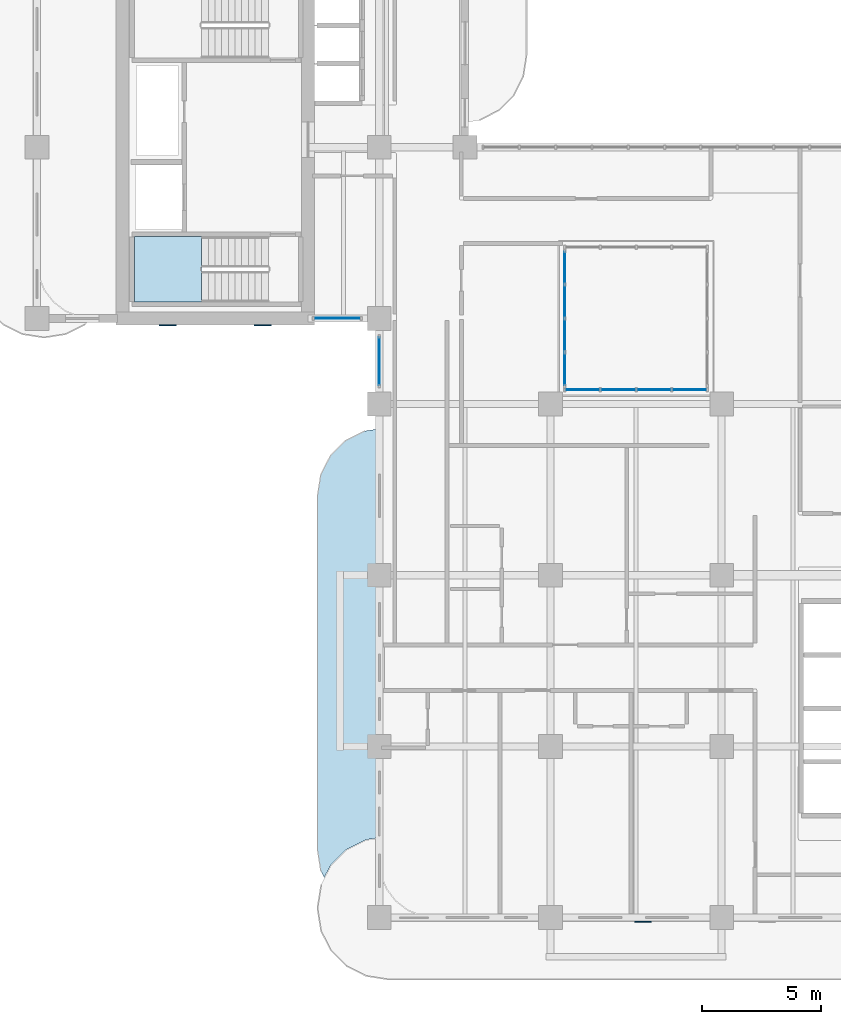
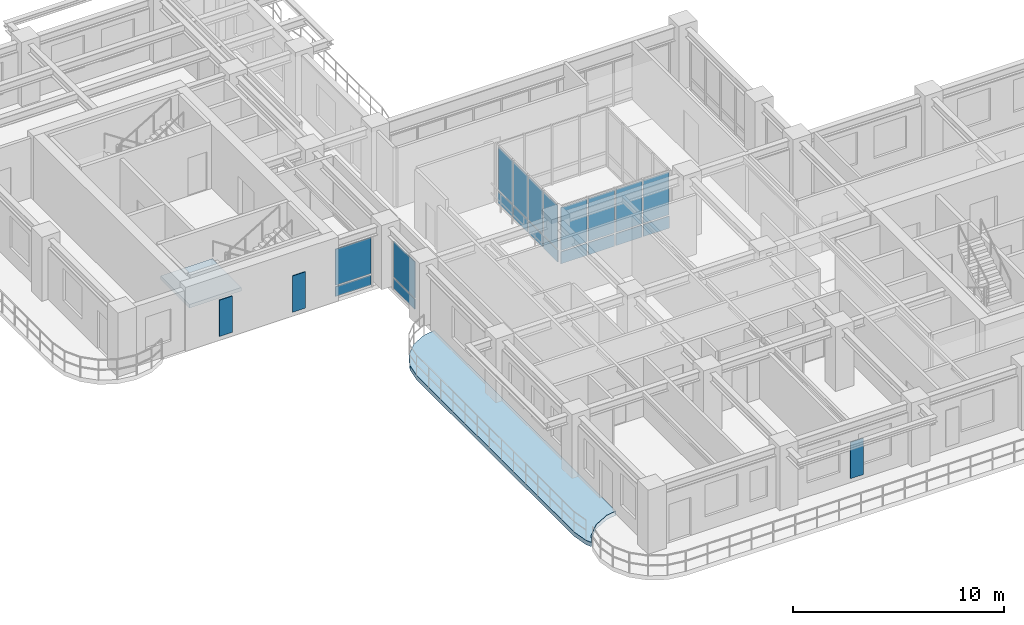
# One storey, part 7 of 20: 23 plates, 2 slabs, 5 elements without a shape of their own.
"""IFC4 building model written with IfcOpenShell, lengths in metres."""

from ifc_helpers import new_model, si_unit, derived_unit, direction, frame, origin, origin_2d, place, context, subcontext, project, spatial, polyline, rectangle, outline, extrude, source, transform, mapped, material, layer, layer_set, type_object, type_shapes, element, aggregate, save


model = new_model("IFC4")

# Units and contexts
model_context = context("Model", 3, precision=1e-05, world=origin(), true_north=direction((0.0, 1.0)))
body_context = subcontext(model_context, "Body", "Model", "MODEL_VIEW")
ifc_project = project(units=[si_unit("LENGTHUNIT", "METRE"), si_unit("AREAUNIT", "SQUARE_METRE"), si_unit("VOLUMEUNIT", "CUBIC_METRE"), si_unit("PLANEANGLEUNIT", "RADIAN"), si_unit("MASSUNIT", "GRAM", prefix="KILO"), si_unit("THERMODYNAMICTEMPERATUREUNIT", "KELVIN"), si_unit("POWERUNIT", "WATT"), derived_unit("THERMALTRANSMITTANCEUNIT", [(si_unit("POWERUNIT", "WATT"), 1), (si_unit("AREAUNIT", "SQUARE_METRE"), -1), (si_unit("THERMODYNAMICTEMPERATUREUNIT", "KELVIN"), -1)])], contexts=[model_context])

# Site, building, storey
site_placement = place(None, origin())
site = spatial("IfcSite", under=ifc_project, at=site_placement, CompositionType="ELEMENT")
building_placement = place(site_placement, origin())
building = spatial("IfcBuilding", under=site, at=building_placement, Name="Zahravan Archway Hotel and Residences", CompositionType="ELEMENT")
storey_placement = place(building_placement, frame((0.0, 0.0, 130.300048828125)))
storey = spatial("IfcBuildingStorey", under=building, at=storey_placement, Name="L32", CompositionType="ELEMENT", Elevation=130.300048828125)

# Slab
ifc_material_1 = material(Name="Concrete C45/55", Category="concrete")
ifc_layer_1 = layer(ifc_material_1, 0.25, Name="Concrete C45/55", Category="concrete")
ifc_layer_set_1 = layer_set([ifc_layer_1], Name="Concrete C45/55")
slab_type_1 = type_object("IfcSlabType", Name="SLB-BALC-250", PredefinedType="FLOOR", material=ifc_layer_set_1)
slab_1_placement = place(storey_placement, frame((0.0, 0.0, -0.25)))
element("IfcSlab", 1, at=slab_1_placement, inside=storey, type_object=slab_type_1, Name="L32 Wing A West Rounded Balcony Band", PredefinedType="FLOOR", context=body_context, shape_type="SweptSolid", body=[
    extrude(outline(polyline([(11.939453125, 1.96923828125), (11.800048828125, 2.85009765625), (11.800048828125, 17.75), (11.939453125, 18.630615234375), (12.34423828125, 19.42529296875), (12.974853515625, 20.0556640625), (13.769287109375, 20.46044921875), (14.3798828125, 20.55712890625), (14.3798828125, 3.361328125), (14.37890625, 3.361328125), (14.376953125, 3.361083984375), (13.835205078125, 3.275390625), (13.833251953125, 3.27490234375), (13.831298828125, 3.2744140625), (13.829345703125, 3.2734375), (13.0068359375, 2.8544921875), (13.005126953125, 2.853515625), (13.00341796875, 2.85205078125), (13.001953125, 2.8505859375), (12.349365234375, 2.197998046875), (12.347900390625, 2.196533203125), (12.3466796875, 2.19482421875), (12.345703125, 2.193115234375), (12.08544921875, 1.6826171875), (11.939453125, 1.96923828125)])), origin(), (0.0, 0.0, 1.0), 0.25),
])

# Stair, slab
ifc_material_2 = material(Name="Concrete C50/60", Category="concrete")
stair_type = type_object("IfcStairType", Name="STR-CORE-1300", PredefinedType="HALF_TURN_STAIR", material=ifc_material_2)
stair_placement = place(storey_placement, origin())
stair = element("IfcStair", 2, at=stair_placement, inside=storey, type_object=stair_type, Name="L32 Core B Exit Stair 1", PredefinedType="HALF_TURN_STAIR")
ifc_layer_2 = layer(ifc_material_2, 0.199951171875, Name="Concrete C50/60", Category="concrete")
ifc_layer_set_2 = layer_set([ifc_layer_2], Name="Concrete C50/60")
slab_type_2 = type_object("IfcSlabType", Name="SLB-LND-200", PredefinedType="LANDING", material=ifc_layer_set_2)
slab_2_placement = place(storey_placement, frame((0.0, 0.0, 1.64990234375)))
slab_2 = element("IfcSlab", 3, at=slab_2_placement, type_object=slab_type_2, Name="ST-B1 landing 1", PredefinedType="LANDING", context=body_context, shape_type="SweptSolid", body=[
    extrude(outline(polyline([(6.929931640625, 28.639892578125), (4.10009765625, 28.639892578125), (4.10009765625, 25.89990234375), (6.929931640625, 25.89990234375), (6.929931640625, 28.639892578125)])), origin(), (0.0, 0.0, 1.0), 0.199951171875),
])
aggregate(stair, [slab_2])

# Plates
ifc_material_3 = material(Name="Perforated Cast Bronze Jali Lattice")
ifc_layer_3 = layer(ifc_material_3, 0.044921875, Name="Perforated Cast Bronze Jali Lattice")
ifc_layer_set_3 = layer_set([ifc_layer_3], Name="Perforated Cast Bronze Jali Lattice")
plate_type_1 = type_object("IfcPlateType", Name="PLT-JALI-BAY", PredefinedType="USERDEFINED", material=ifc_layer_set_3)
shared_shape_1 = source(origin(), body_context, "Body", "SweptSolid", [
    extrude(rectangle(XDim=0.699951171875, YDim=0.044921875, at=origin_2d()), origin(), (0.0, 0.0, 1.0), 2.10009765625),
])
type_shapes(plate_type_1, [shared_shape_1])
for number, where, z_axis, x_axis, name in (
    (4, (5.5, 24.906982421875, 0.25), (0.0, 0.0, 1.0), (1.0, 0.0, 0.0), "L32 Core B South Mughal Jali Screen 1"),
    (5, (9.5, 24.906982421875, 0.25), (0.0, 0.0, 1.0), (1.0, 0.0, 0.0), "L32 Core B South Mughal Jali Screen 2"),
    (6, (25.493896484375, -0.177978515625, 0.25), (0.0, 0.0, 1.0), (1.0, 0.0, 0.0), "L32 Perforated Bronze Jali Pier Screen 01"),
):
    element("IfcPlate", number, at=place(storey_placement, frame(where, z_axis=z_axis, x_axis=x_axis)), inside=storey, type_object=plate_type_1, Name=name, ObjectType="SCREEN", PredefinedType="USERDEFINED", context=body_context, shape_type="MappedRepresentation", body=[
        mapped(shared_shape_1, transform((0.0, 0.0, 0.0), scale=1.0)),
    ])

# Curtain wall, plates
ifc_material_4 = material(Name="Bronze-Anodized Unitised Aluminium & Low-E Glass", Category="aluminium")
ifc_layer_4 = layer(ifc_material_4, 0.179931640625, Name="Bronze-Anodized Unitised Aluminium & Low-E Glass", Category="aluminium")
ifc_layer_set_4 = layer_set([ifc_layer_4], Name="Bronze-Anodized Unitised Aluminium & Low-E Glass")
curtain_wall_type = type_object("IfcCurtainWallType", Name="CW-ATR-GLAZ", PredefinedType="NOTDEFINED", material=ifc_layer_set_4)
curtain_wall_1_placement = place(storey_placement, origin())
curtain_wall_1 = element("IfcCurtainWall", 7, at=curtain_wall_1_placement, inside=storey, type_object=curtain_wall_type, Name="L32 Curtain Wall CW-ATR-L32-S-1", PredefinedType="NOTDEFINED")
ifc_material_5 = material(Name="Insulated Terracotta Spandrel Panel", Category="masonry")
ifc_layer_5 = layer(ifc_material_5, 0.0400390625, Name="Insulated Terracotta Spandrel Panel", Category="masonry")
ifc_layer_set_5 = layer_set([ifc_layer_5], Name="Insulated Terracotta Spandrel Panel")
plate_type_2 = type_object("IfcPlateType", Name="CWP-SPN-40", PredefinedType="SHEET", material=ifc_layer_set_5)
shared_shape_2 = source(origin(), body_context, "Body", "SweptSolid", [
    extrude(rectangle(XDim=1.419921875, YDim=0.0400390625, at=origin_2d()), origin(), (0.0, 0.0, 1.0), 0.68798828125),
])
plate_1_placement = place(storey_placement, frame((22.949951171875, 22.199951171875, 0.099853515625), z_axis=(0.0, 0.0, 1.0), x_axis=(1.0, 0.0, 0.0)))
plate_1 = element("IfcPlate", 8, at=plate_1_placement, type_object=plate_type_2, Name="CW-ATR-L32-S-1 Spandrel Panel 0", PredefinedType="SHEET", context=body_context, shape_type="MappedRepresentation", body=[
    mapped(shared_shape_2, transform((0.0, 0.0, 0.0), scale=1.0)),
])
plate_2_placement = place(storey_placement, frame((24.449951171875, 22.199951171875, 0.099853515625), z_axis=(0.0, 0.0, 1.0), x_axis=(1.0, 0.0, 0.0)))
plate_2 = element("IfcPlate", 9, at=plate_2_placement, type_object=plate_type_2, Name="CW-ATR-L32-S-1 Spandrel Panel 1", PredefinedType="SHEET", context=body_context, shape_type="MappedRepresentation", body=[
    mapped(shared_shape_2, transform((0.0, 0.0, 0.0), scale=1.0)),
])
plate_3_placement = place(storey_placement, frame((25.949951171875, 22.199951171875, 0.099853515625), z_axis=(0.0, 0.0, 1.0), x_axis=(1.0, 0.0, 0.0)))
plate_3 = element("IfcPlate", 10, at=plate_3_placement, type_object=plate_type_2, Name="CW-ATR-L32-S-1 Spandrel Panel 2", PredefinedType="SHEET", context=body_context, shape_type="MappedRepresentation", body=[
    mapped(shared_shape_2, transform((0.0, 0.0, 0.0), scale=1.0)),
])
plate_4_placement = place(storey_placement, frame((27.449951171875, 22.199951171875, 0.099853515625), z_axis=(0.0, 0.0, 1.0), x_axis=(1.0, 0.0, 0.0)))
plate_4 = element("IfcPlate", 11, at=plate_4_placement, type_object=plate_type_2, Name="CW-ATR-L32-S-1 Spandrel Panel 3", PredefinedType="SHEET", context=body_context, shape_type="MappedRepresentation", body=[
    mapped(shared_shape_2, transform((0.0, 0.0, 0.0), scale=1.0)),
])
ifc_material_6 = material(Name="Double-Silver Low-E Insulated Vision Glass", Category="glass")
ifc_layer_6 = layer(ifc_material_6, 0.028076171875, Name="Double-Silver Low-E Insulated Vision Glass", Category="glass")
ifc_layer_set_6 = layer_set([ifc_layer_6], Name="Double-Silver Low-E Insulated Vision Glass")
plate_type_3 = type_object("IfcPlateType", Name="CWP-GLZ-28", PredefinedType="CURTAIN_PANEL", material=ifc_layer_set_6)
shared_shape_3 = source(origin(), body_context, "Body", "SweptSolid", [
    extrude(rectangle(XDim=1.419921875, YDim=0.028076171875, at=origin_2d()), origin(), (0.0, 0.0, 1.0), 2.48193359375),
])
plate_5_placement = place(storey_placement, frame((22.949951171875, 22.199951171875, 0.867919921875), z_axis=(0.0, 0.0, 1.0), x_axis=(1.0, 0.0, 0.0)))
plate_5 = element("IfcPlate", 12, at=plate_5_placement, type_object=plate_type_3, Name="CW-ATR-L32-S-1 Low-E Vision Panel 0", PredefinedType="CURTAIN_PANEL", context=body_context, shape_type="MappedRepresentation", body=[
    mapped(shared_shape_3, transform((0.0, 0.0, 0.0), scale=1.0)),
])
plate_6_placement = place(storey_placement, frame((24.449951171875, 22.199951171875, 0.867919921875), z_axis=(0.0, 0.0, 1.0), x_axis=(1.0, 0.0, 0.0)))
plate_6 = element("IfcPlate", 13, at=plate_6_placement, type_object=plate_type_3, Name="CW-ATR-L32-S-1 Low-E Vision Panel 1", PredefinedType="CURTAIN_PANEL", context=body_context, shape_type="MappedRepresentation", body=[
    mapped(shared_shape_3, transform((0.0, 0.0, 0.0), scale=1.0)),
])
plate_7_placement = place(storey_placement, frame((25.949951171875, 22.199951171875, 0.867919921875), z_axis=(0.0, 0.0, 1.0), x_axis=(1.0, 0.0, 0.0)))
plate_7 = element("IfcPlate", 14, at=plate_7_placement, type_object=plate_type_3, Name="CW-ATR-L32-S-1 Low-E Vision Panel 2", PredefinedType="CURTAIN_PANEL", context=body_context, shape_type="MappedRepresentation", body=[
    mapped(shared_shape_3, transform((0.0, 0.0, 0.0), scale=1.0)),
])
plate_8_placement = place(storey_placement, frame((27.449951171875, 22.199951171875, 0.867919921875), z_axis=(0.0, 0.0, 1.0), x_axis=(1.0, 0.0, 0.0)))
plate_8 = element("IfcPlate", 15, at=plate_8_placement, type_object=plate_type_3, Name="CW-ATR-L32-S-1 Low-E Vision Panel 3", PredefinedType="CURTAIN_PANEL", context=body_context, shape_type="MappedRepresentation", body=[
    mapped(shared_shape_3, transform((0.0, 0.0, 0.0), scale=1.0)),
])
aggregate(curtain_wall_1, [plate_1, plate_5, plate_2, plate_6, plate_3, plate_7, plate_4, plate_8])

curtain_wall_2_placement = place(storey_placement, origin())
curtain_wall_2 = element("IfcCurtainWall", 16, at=curtain_wall_2_placement, inside=storey, type_object=curtain_wall_type, Name="L32 Curtain Wall CW-ATR-L32-W-1", PredefinedType="NOTDEFINED")
shared_shape_4 = source(origin(), body_context, "Body", "SweptSolid", [
    extrude(rectangle(XDim=1.344970703125, YDim=0.0400390625, at=origin_2d()), origin(), (0.0, 0.0, 1.0), 0.68798828125),
])
plate_9_placement = place(storey_placement, frame((22.199951171875, 23.0625, 0.099853515625), z_axis=(0.0, 0.0, 1.0), x_axis=(0.0, 1.0, 0.0)))
plate_9 = element("IfcPlate", 17, at=plate_9_placement, type_object=plate_type_2, Name="CW-ATR-L32-W-1 Spandrel Panel 0", PredefinedType="SHEET", context=body_context, shape_type="MappedRepresentation", body=[
    mapped(shared_shape_4, transform((0.0, 0.0, 0.0), scale=1.0)),
])
plate_10_placement = place(storey_placement, frame((22.199951171875, 24.487548828125, 0.099853515625), z_axis=(0.0, 0.0, 1.0), x_axis=(0.0, 1.0, 0.0)))
plate_10 = element("IfcPlate", 18, at=plate_10_placement, type_object=plate_type_2, Name="CW-ATR-L32-W-1 Spandrel Panel 1", PredefinedType="SHEET", context=body_context, shape_type="MappedRepresentation", body=[
    mapped(shared_shape_4, transform((0.0, 0.0, 0.0), scale=1.0)),
])
plate_11_placement = place(storey_placement, frame((22.199951171875, 25.91259765625, 0.099853515625), z_axis=(0.0, 0.0, 1.0), x_axis=(0.0, 1.0, 0.0)))
plate_11 = element("IfcPlate", 19, at=plate_11_placement, type_object=plate_type_2, Name="CW-ATR-L32-W-1 Spandrel Panel 2", PredefinedType="SHEET", context=body_context, shape_type="MappedRepresentation", body=[
    mapped(shared_shape_4, transform((0.0, 0.0, 0.0), scale=1.0)),
])
plate_12_placement = place(storey_placement, frame((22.199951171875, 27.33740234375, 0.099853515625), z_axis=(0.0, 0.0, 1.0), x_axis=(0.0, 1.0, 0.0)))
plate_12 = element("IfcPlate", 20, at=plate_12_placement, type_object=plate_type_2, Name="CW-ATR-L32-W-1 Spandrel Panel 3", PredefinedType="SHEET", context=body_context, shape_type="MappedRepresentation", body=[
    mapped(shared_shape_4, transform((0.0, 0.0, 0.0), scale=1.0)),
])
shared_shape_5 = source(origin(), body_context, "Body", "SweptSolid", [
    extrude(rectangle(XDim=1.344970703125, YDim=0.028076171875, at=origin_2d()), origin(), (0.0, 0.0, 1.0), 2.48193359375),
])
plate_13_placement = place(storey_placement, frame((22.199951171875, 23.0625, 0.867919921875), z_axis=(0.0, 0.0, 1.0), x_axis=(0.0, 1.0, 0.0)))
plate_13 = element("IfcPlate", 21, at=plate_13_placement, type_object=plate_type_3, Name="CW-ATR-L32-W-1 Low-E Vision Panel 0", PredefinedType="CURTAIN_PANEL", context=body_context, shape_type="MappedRepresentation", body=[
    mapped(shared_shape_5, transform((0.0, 0.0, 0.0), scale=1.0)),
])
plate_14_placement = place(storey_placement, frame((22.199951171875, 24.487548828125, 0.867919921875), z_axis=(0.0, 0.0, 1.0), x_axis=(0.0, 1.0, 0.0)))
plate_14 = element("IfcPlate", 22, at=plate_14_placement, type_object=plate_type_3, Name="CW-ATR-L32-W-1 Low-E Vision Panel 1", PredefinedType="CURTAIN_PANEL", context=body_context, shape_type="MappedRepresentation", body=[
    mapped(shared_shape_5, transform((0.0, 0.0, 0.0), scale=1.0)),
])
plate_15_placement = place(storey_placement, frame((22.199951171875, 25.91259765625, 0.867919921875), z_axis=(0.0, 0.0, 1.0), x_axis=(0.0, 1.0, 0.0)))
plate_15 = element("IfcPlate", 23, at=plate_15_placement, type_object=plate_type_3, Name="CW-ATR-L32-W-1 Low-E Vision Panel 2", PredefinedType="CURTAIN_PANEL", context=body_context, shape_type="MappedRepresentation", body=[
    mapped(shared_shape_5, transform((0.0, 0.0, 0.0), scale=1.0)),
])
plate_16_placement = place(storey_placement, frame((22.199951171875, 27.33740234375, 0.867919921875), z_axis=(0.0, 0.0, 1.0), x_axis=(0.0, 1.0, 0.0)))
plate_16 = element("IfcPlate", 24, at=plate_16_placement, type_object=plate_type_3, Name="CW-ATR-L32-W-1 Low-E Vision Panel 3", PredefinedType="CURTAIN_PANEL", context=body_context, shape_type="MappedRepresentation", body=[
    mapped(shared_shape_5, transform((0.0, 0.0, 0.0), scale=1.0)),
])
aggregate(curtain_wall_2, [plate_9, plate_13, plate_10, plate_14, plate_11, plate_15, plate_12, plate_16])

curtain_wall_3_placement = place(storey_placement, origin())
curtain_wall_3 = element("IfcCurtainWall", 25, at=curtain_wall_3_placement, inside=storey, type_object=curtain_wall_type, Name="L32 Curtain Wall CW-L32-WA-WLU-1", PredefinedType="NOTDEFINED")
shared_shape_6 = source(origin(), body_context, "Body", "SweptSolid", [
    extrude(rectangle(XDim=2.0, YDim=0.0400390625, at=origin_2d()), origin(), (0.0, 0.0, 1.0), 0.564453125),
])
plate_17_placement = place(storey_placement, frame((14.39990234375, 23.39990234375, 0.099853515625), z_axis=(0.0, 0.0, 1.0), x_axis=(0.0, 1.0, 0.0)))
plate_17 = element("IfcPlate", 26, at=plate_17_placement, type_object=plate_type_2, Name="CW-L32-WA-WLU-1 Spandrel Panel 0", PredefinedType="SHEET", context=body_context, shape_type="MappedRepresentation", body=[
    mapped(shared_shape_6, transform((0.0, 0.0, 0.0), scale=1.0)),
])
shared_shape_7 = source(origin(), body_context, "Body", "SweptSolid", [
    extrude(rectangle(XDim=2.0, YDim=0.028076171875, at=origin_2d()), origin(), (0.0, 0.0, 1.0), 2.090576171875),
])
plate_18_placement = place(storey_placement, frame((14.39990234375, 23.39990234375, 0.744140625), z_axis=(0.0, 0.0, 1.0), x_axis=(0.0, 1.0, 0.0)))
plate_18 = element("IfcPlate", 27, at=plate_18_placement, type_object=plate_type_3, Name="CW-L32-WA-WLU-1 Low-E Vision Panel 0", PredefinedType="CURTAIN_PANEL", context=body_context, shape_type="MappedRepresentation", body=[
    mapped(shared_shape_7, transform((0.0, 0.0, 0.0), scale=1.0)),
])
aggregate(curtain_wall_3, [plate_17, plate_18])

curtain_wall_4_placement = place(storey_placement, origin())
curtain_wall_4 = element("IfcCurtainWall", 28, at=curtain_wall_4_placement, inside=storey, type_object=curtain_wall_type, Name="L32 Curtain Wall CW-L32-WB-SE-1", PredefinedType="NOTDEFINED")
shared_shape_8 = source(origin(), body_context, "Body", "SweptSolid", [
    extrude(rectangle(XDim=1.93994140625, YDim=0.0400390625, at=origin_2d()), origin(), (0.0, 0.0, 1.0), 0.564453125),
])
plate_19_placement = place(storey_placement, frame((12.6298828125, 25.199951171875, 0.099853515625), z_axis=(0.0, 0.0, 1.0), x_axis=(1.0, 0.0, 0.0)))
plate_19 = element("IfcPlate", 29, at=plate_19_placement, type_object=plate_type_2, Name="CW-L32-WB-SE-1 Spandrel Panel 0", PredefinedType="SHEET", context=body_context, shape_type="MappedRepresentation", body=[
    mapped(shared_shape_8, transform((0.0, 0.0, 0.0), scale=1.0)),
])
shared_shape_9 = source(origin(), body_context, "Body", "SweptSolid", [
    extrude(rectangle(XDim=1.93994140625, YDim=0.028076171875, at=origin_2d()), origin(), (0.0, 0.0, 1.0), 2.090576171875),
])
plate_20_placement = place(storey_placement, frame((12.6298828125, 25.199951171875, 0.744140625), z_axis=(0.0, 0.0, 1.0), x_axis=(1.0, 0.0, 0.0)))
plate_20 = element("IfcPlate", 30, at=plate_20_placement, type_object=plate_type_3, Name="CW-L32-WB-SE-1 Low-E Vision Panel 0", PredefinedType="CURTAIN_PANEL", context=body_context, shape_type="MappedRepresentation", body=[
    mapped(shared_shape_9, transform((0.0, 0.0, 0.0), scale=1.0)),
])
aggregate(curtain_wall_4, [plate_19, plate_20])

save(model, "model.ifc")
